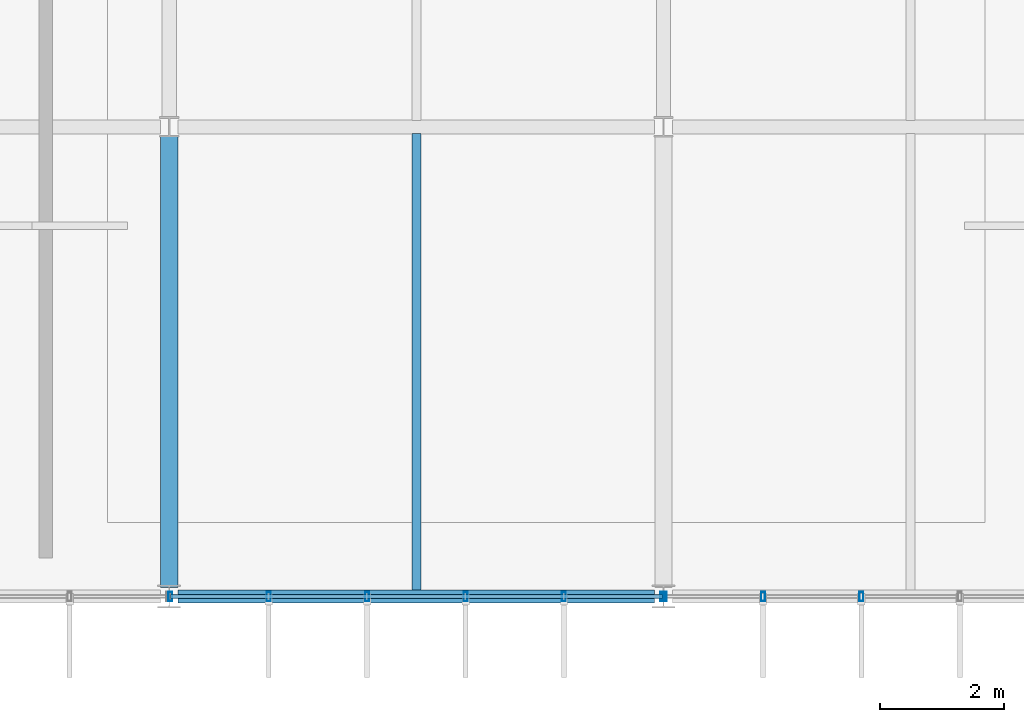
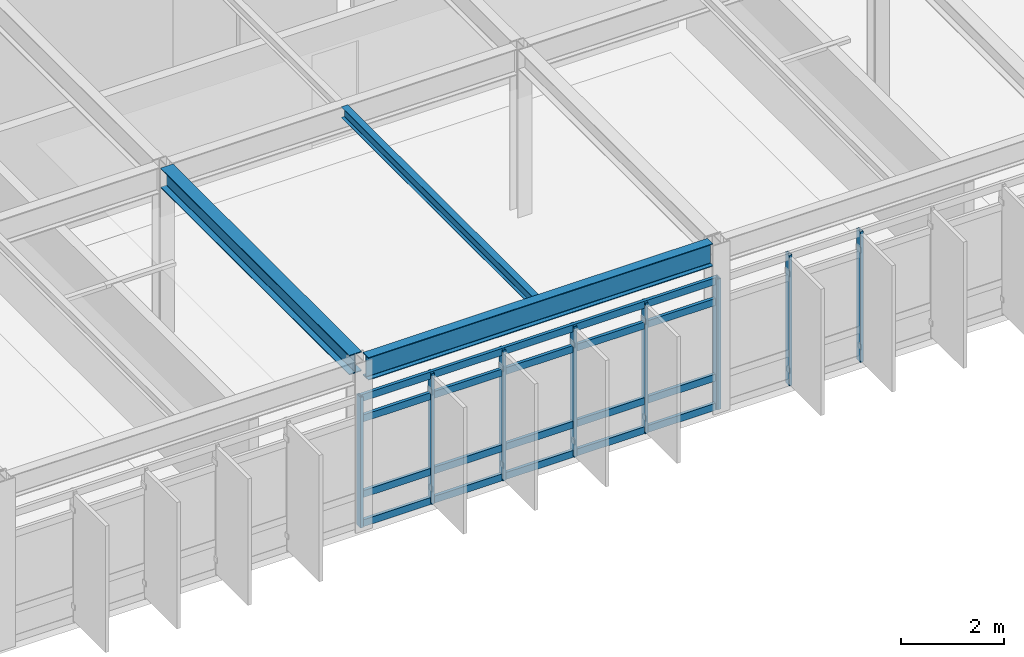
# One storey, part 21 of 85: 13 members, 3 beams, 2 elements without a shape of their own.
"""IFC4 building model written with IfcOpenShell, lengths in metres."""

from ifc_helpers import new_model, si_unit, direction, frame, origin, origin_2d, place, context, subcontext, project, spatial, hollow_rectangle, i_section, extrude, material, material_profile, profile_set, type_object, element, aggregate, save


model = new_model("IFC4")

# Units and contexts
model_context = context("Model", 3, precision=1e-05, world=origin(), true_north=direction((0.0, 1.0)))
body_context = subcontext(model_context, "Body", "Model", "MODEL_VIEW")
ifc_project = project(units=[si_unit("LENGTHUNIT", "METRE"), si_unit("AREAUNIT", "SQUARE_METRE"), si_unit("VOLUMEUNIT", "CUBIC_METRE"), si_unit("PLANEANGLEUNIT", "RADIAN"), si_unit("MASSUNIT", "GRAM", prefix="KILO")], contexts=[model_context])

# Site, building, storey
site_placement = place(None, origin())
site = spatial("IfcSite", under=ifc_project, at=site_placement, CompositionType="ELEMENT")
building_placement = place(site_placement, origin())
building = spatial("IfcBuilding", under=site, at=building_placement, Name="Zulena Civic Courthouse", CompositionType="ELEMENT")
storey_placement = place(building_placement, frame((0.0, 0.0, 25.199951171875)))
storey = spatial("IfcBuildingStorey", under=building, at=storey_placement, Name="L05", CompositionType="ELEMENT", Elevation=25.199951171875)

# Curtain wall, members
ifc_material_1 = material(Name="Double-silver low-E laminated solar-control glass", Category="glass")
curtain_wall_type = type_object("IfcCurtainWallType", Name="CW_7964x3090", PredefinedType="USERDEFINED", material=ifc_material_1)
curtain_wall_1_placement = place(storey_placement, origin())
curtain_wall_1 = element("IfcCurtainWall", 1, at=curtain_wall_1_placement, inside=storey, type_object=curtain_wall_type, Name="cw:V2:L05:3:4", ObjectType="UNITISED CURTAIN WALL", PredefinedType="USERDEFINED")
ifc_material_2 = material(Name="Bronze anodised thermally broken aluminium AA6063-T6", Category="aluminium")
ifc_material_profile_1 = material_profile(ifc_material_2, hollow_rectangle(XDim=0.06494140625, YDim=0.14990234375, WallThickness=0.00390625, at=origin_2d()), Name="CWM150X65X4")
ifc_profile_set_1 = profile_set([ifc_material_profile_1], Name="Bronze anodised thermally broken aluminium AA6063-T6")
member_type_1 = type_object("IfcMemberType", Name="CWMullion_150x65", PredefinedType="MULLION", material=ifc_profile_set_1)
member_1_placement = place(storey_placement, frame((31.20361328125, 0.0, 0.0), z_axis=(0.0, 0.0, 1.0), x_axis=(1.0, 0.0, 0.0)))
member_1 = element("IfcMember", 2, at=member_1_placement, type_object=member_type_1, Name="cw:V2:L05:3:4:mull:3", PredefinedType="MULLION", context=body_context, shape_type="SweptSolid", body=[
    extrude(hollow_rectangle(XDim=0.06494140625, YDim=0.14990234375, WallThickness=0.00390625, at=origin_2d()), origin(), (0.0, 0.0, 1.0), 3.090087890625),
])
member_2_placement = place(storey_placement, frame((29.61083984375, 0.0, 0.0), z_axis=(0.0, 0.0, 1.0), x_axis=(1.0, 0.0, 0.0)))
member_2 = element("IfcMember", 3, at=member_2_placement, type_object=member_type_1, Name="cw:V2:L05:3:4:mull:4", PredefinedType="MULLION", context=body_context, shape_type="SweptSolid", body=[
    extrude(hollow_rectangle(XDim=0.06494140625, YDim=0.14990234375, WallThickness=0.00390625, at=origin_2d()), origin(), (0.0, 0.0, 1.0), 3.090087890625),
])
member_3_placement = place(storey_placement, frame((28.01806640625, 0.0, 0.0), z_axis=(0.0, 0.0, 1.0), x_axis=(1.0, 0.0, 0.0)))
member_3 = element("IfcMember", 4, at=member_3_placement, type_object=member_type_1, Name="cw:V2:L05:3:4:mull:5", PredefinedType="MULLION", context=body_context, shape_type="SweptSolid", body=[
    extrude(hollow_rectangle(XDim=0.06494140625, YDim=0.14990234375, WallThickness=0.00390625, at=origin_2d()), origin(), (0.0, 0.0, 1.0), 3.090087890625),
])
aggregate(curtain_wall_1, [member_1, member_2, member_3])

curtain_wall_2_placement = place(storey_placement, origin())
curtain_wall_2 = element("IfcCurtainWall", 5, at=curtain_wall_2_placement, inside=storey, type_object=curtain_wall_type, Name="cw:V2:L05:3:5", ObjectType="UNITISED CURTAIN WALL", PredefinedType="USERDEFINED")
member_4_placement = place(storey_placement, frame((27.98193359375, 0.0, 0.0), z_axis=(0.0, 0.0, 1.0), x_axis=(1.0, 0.0, 0.0)))
member_4 = element("IfcMember", 6, at=member_4_placement, type_object=member_type_1, Name="cw:V2:L05:3:5:mull:0", PredefinedType="MULLION", context=body_context, shape_type="SweptSolid", body=[
    extrude(hollow_rectangle(XDim=0.06494140625, YDim=0.14990234375, WallThickness=0.00390625, at=origin_2d()), origin(), (0.0, 0.0, 1.0), 3.090087890625),
])
member_5_placement = place(storey_placement, frame((26.38916015625, 0.0, 0.0), z_axis=(0.0, 0.0, 1.0), x_axis=(1.0, 0.0, 0.0)))
member_5 = element("IfcMember", 7, at=member_5_placement, type_object=member_type_1, Name="cw:V2:L05:3:5:mull:1", PredefinedType="MULLION", context=body_context, shape_type="SweptSolid", body=[
    extrude(hollow_rectangle(XDim=0.06494140625, YDim=0.14990234375, WallThickness=0.00390625, at=origin_2d()), origin(), (0.0, 0.0, 1.0), 3.090087890625),
])
member_6_placement = place(storey_placement, frame((24.79638671875, 0.0, 0.0), z_axis=(0.0, 0.0, 1.0), x_axis=(1.0, 0.0, 0.0)))
member_6 = element("IfcMember", 8, at=member_6_placement, type_object=member_type_1, Name="cw:V2:L05:3:5:mull:2", PredefinedType="MULLION", context=body_context, shape_type="SweptSolid", body=[
    extrude(hollow_rectangle(XDim=0.06494140625, YDim=0.14990234375, WallThickness=0.00390625, at=origin_2d()), origin(), (0.0, 0.0, 1.0), 3.090087890625),
])
member_7_placement = place(storey_placement, frame((23.20361328125, 0.0, 0.0), z_axis=(0.0, 0.0, 1.0), x_axis=(1.0, 0.0, 0.0)))
member_7 = element("IfcMember", 9, at=member_7_placement, type_object=member_type_1, Name="cw:V2:L05:3:5:mull:3", PredefinedType="MULLION", context=body_context, shape_type="SweptSolid", body=[
    extrude(hollow_rectangle(XDim=0.06494140625, YDim=0.14990234375, WallThickness=0.00390625, at=origin_2d()), origin(), (0.0, 0.0, 1.0), 3.090087890625),
])
member_8_placement = place(storey_placement, frame((21.61083984375, 0.0, 0.0), z_axis=(0.0, 0.0, 1.0), x_axis=(1.0, 0.0, 0.0)))
member_8 = element("IfcMember", 10, at=member_8_placement, type_object=member_type_1, Name="cw:V2:L05:3:5:mull:4", PredefinedType="MULLION", context=body_context, shape_type="SweptSolid", body=[
    extrude(hollow_rectangle(XDim=0.06494140625, YDim=0.14990234375, WallThickness=0.00390625, at=origin_2d()), origin(), (0.0, 0.0, 1.0), 3.090087890625),
])
member_9_placement = place(storey_placement, frame((20.01806640625, 0.0, 0.0), z_axis=(0.0, 0.0, 1.0), x_axis=(1.0, 0.0, 0.0)))
member_9 = element("IfcMember", 11, at=member_9_placement, type_object=member_type_1, Name="cw:V2:L05:3:5:mull:5", PredefinedType="MULLION", context=body_context, shape_type="SweptSolid", body=[
    extrude(hollow_rectangle(XDim=0.06494140625, YDim=0.14990234375, WallThickness=0.00390625, at=origin_2d()), origin(), (0.0, 0.0, 1.0), 3.090087890625),
])
ifc_material_profile_2 = material_profile(ifc_material_2, hollow_rectangle(XDim=0.070068359375, YDim=0.1650390625, WallThickness=0.00390625, at=origin_2d()), Name="CWT165X70X4")
ifc_profile_set_2 = profile_set([ifc_material_profile_2], Name="Bronze anodised thermally broken aluminium AA6063-T6")
member_type_2 = type_object("IfcMemberType", Name="CWTransom_165x70", PredefinedType="USERDEFINED", material=ifc_profile_set_2)
member_10_placement = place(storey_placement, frame((27.98193359375, 0.0, 0.06005859375), z_axis=(-1.0, 0.0, 0.0), x_axis=(0.0, -1.0, 0.0)))
member_10 = element("IfcMember", 12, at=member_10_placement, type_object=member_type_2, Name="cw:V2:L05:3:5:tran:0", ObjectType="TRANSOM", PredefinedType="USERDEFINED", context=body_context, shape_type="SweptSolid", body=[
    extrude(hollow_rectangle(XDim=0.070068359375, YDim=0.1650390625, WallThickness=0.00390625, at=origin_2d()), origin(), (0.0, 0.0, 1.0), 7.9638671875),
])
member_11_placement = place(storey_placement, frame((27.98193359375, 0.0, 0.75), z_axis=(-1.0, 0.0, 0.0), x_axis=(0.0, -1.0, 0.0)))
member_11 = element("IfcMember", 13, at=member_11_placement, type_object=member_type_2, Name="cw:V2:L05:3:5:tran:1", ObjectType="TRANSOM", PredefinedType="USERDEFINED", context=body_context, shape_type="SweptSolid", body=[
    extrude(hollow_rectangle(XDim=0.070068359375, YDim=0.1650390625, WallThickness=0.00390625, at=origin_2d()), origin(), (0.0, 0.0, 1.0), 7.9638671875),
])
member_12_placement = place(storey_placement, frame((27.98193359375, 0.0, 2.5400390625), z_axis=(-1.0, 0.0, 0.0), x_axis=(0.0, -1.0, 0.0)))
member_12 = element("IfcMember", 14, at=member_12_placement, type_object=member_type_2, Name="cw:V2:L05:3:5:tran:2", ObjectType="TRANSOM", PredefinedType="USERDEFINED", context=body_context, shape_type="SweptSolid", body=[
    extrude(hollow_rectangle(XDim=0.070068359375, YDim=0.1650390625, WallThickness=0.00390625, at=origin_2d()), origin(), (0.0, 0.0, 1.0), 7.9638671875),
])
member_13_placement = place(storey_placement, frame((27.98193359375, 0.0, 3.030029296875), z_axis=(-1.0, 0.0, 0.0), x_axis=(0.0, -1.0, 0.0)))
member_13 = element("IfcMember", 15, at=member_13_placement, type_object=member_type_2, Name="cw:V2:L05:3:5:tran:3", ObjectType="TRANSOM", PredefinedType="USERDEFINED", context=body_context, shape_type="SweptSolid", body=[
    extrude(hollow_rectangle(XDim=0.070068359375, YDim=0.1650390625, WallThickness=0.00390625, at=origin_2d()), origin(), (0.0, 0.0, 1.0), 7.9638671875),
])
aggregate(curtain_wall_2, [member_4, member_5, member_6, member_7, member_8, member_9, member_10, member_11, member_12, member_13])

# Beams
ifc_material_3 = material(Name="Steel ASTM A992 Grade 50", Category="steel")
ifc_material_profile_3 = material_profile(ifc_material_3, i_section(OverallWidth=0.14599609375, OverallDepth=0.258056640625, WebThickness=0.006103515625, FlangeThickness=0.009033203125, FilletRadius=0.007568359375, at=origin_2d()), Name="W10X22")
ifc_profile_set_3 = profile_set([ifc_material_profile_3], Name="Steel ASTM A992 Grade 50")
beam_type_1 = type_object("IfcBeamType", Name="Joist_W10X22", PredefinedType="JOIST", material=ifc_profile_set_3)
beam_1_placement = place(storey_placement, frame((24.0, 0.10498046875, 3.865966796875), z_axis=(0.0, 1.0, 0.0), x_axis=(-1.0, 0.0, 0.0)))
element("IfcBeam", 16, at=beam_1_placement, inside=storey, type_object=beam_type_1, Name="joist:V2:L05:24.00:0.0_7.6", PredefinedType="JOIST", context=body_context, shape_type="SweptSolid", body=[
    extrude(i_section(OverallWidth=0.14599609375, OverallDepth=0.258056640625, WebThickness=0.006103515625, FlangeThickness=0.009033203125, FilletRadius=0.007568359375, at=origin_2d()), origin(), (0.0, 0.0, 1.0), 7.39013671875),
])
ifc_material_profile_4 = material_profile(ifc_material_3, i_section(OverallWidth=0.280029296875, OverallDepth=0.462890625, WebThickness=0.0107421875, FlangeThickness=0.017333984375, FilletRadius=0.01025390625, at=origin_2d()), Name="W18X76")
ifc_profile_set_4 = profile_set([ifc_material_profile_4], Name="Steel ASTM A992 Grade 50")
beam_type_2 = type_object("IfcBeamType", Name="Spandrel_W18X76", PredefinedType="SPANDREL", material=ifc_profile_set_4)
beam_2_placement = place(storey_placement, frame((20.0, 0.14501953125, 3.763427734375), z_axis=(0.0, 1.0, 0.0), x_axis=(-1.0, 0.0, 0.0)))
element("IfcBeam", 17, at=beam_2_placement, inside=storey, type_object=beam_type_2, Name="beam:Y:V2:L05:20.0:0.0_7.6", PredefinedType="SPANDREL", context=body_context, shape_type="SweptSolid", body=[
    extrude(i_section(OverallWidth=0.280029296875, OverallDepth=0.462890625, WebThickness=0.0107421875, FlangeThickness=0.017333984375, FilletRadius=0.01025390625, at=origin_2d()), origin(), (0.0, 0.0, 1.0), 7.31005859375),
])
ifc_material_profile_5 = material_profile(ifc_material_3, i_section(OverallWidth=0.2099609375, OverallDepth=0.537109375, WebThickness=0.010986328125, FlangeThickness=0.017333984375, FilletRadius=0.0126953125, at=origin_2d()), Name="W21X68")
ifc_profile_set_5 = profile_set([ifc_material_profile_5], Name="Steel ASTM A992 Grade 50")
beam_type_3 = type_object("IfcBeamType", Name="Spandrel_W21X68", PredefinedType="SPANDREL", material=ifc_profile_set_5)
beam_3_placement = place(storey_placement, frame((20.14501953125, 0.0, 3.7265625), z_axis=(1.0, 0.0, 0.0), x_axis=(0.0, 1.0, 0.0)))
element("IfcBeam", 18, at=beam_3_placement, inside=storey, type_object=beam_type_3, Name="beam:X:V2:L05:0.0:20.0_28.0", PredefinedType="SPANDREL", context=body_context, shape_type="SweptSolid", body=[
    extrude(i_section(OverallWidth=0.2099609375, OverallDepth=0.537109375, WebThickness=0.010986328125, FlangeThickness=0.017333984375, FilletRadius=0.0126953125, at=origin_2d()), origin(), (0.0, 0.0, 1.0), 7.7099609375),
])

save(model, "model.ifc")
